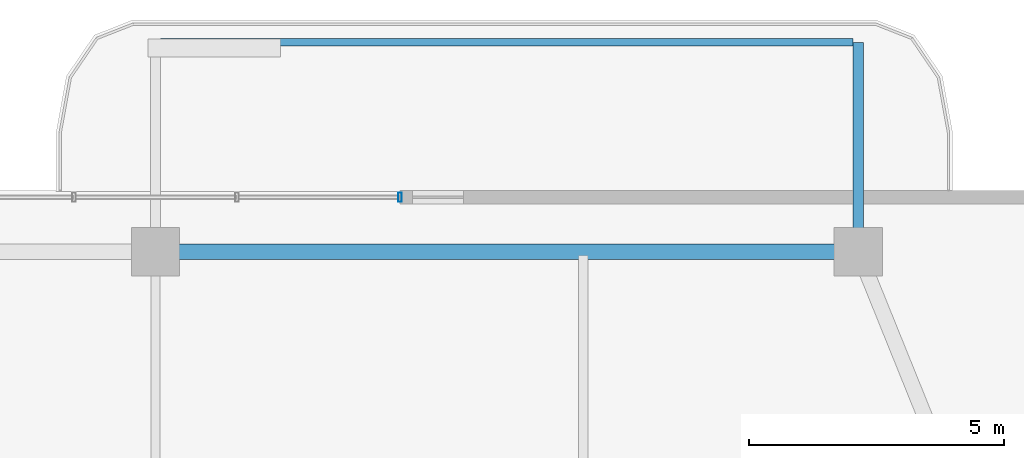
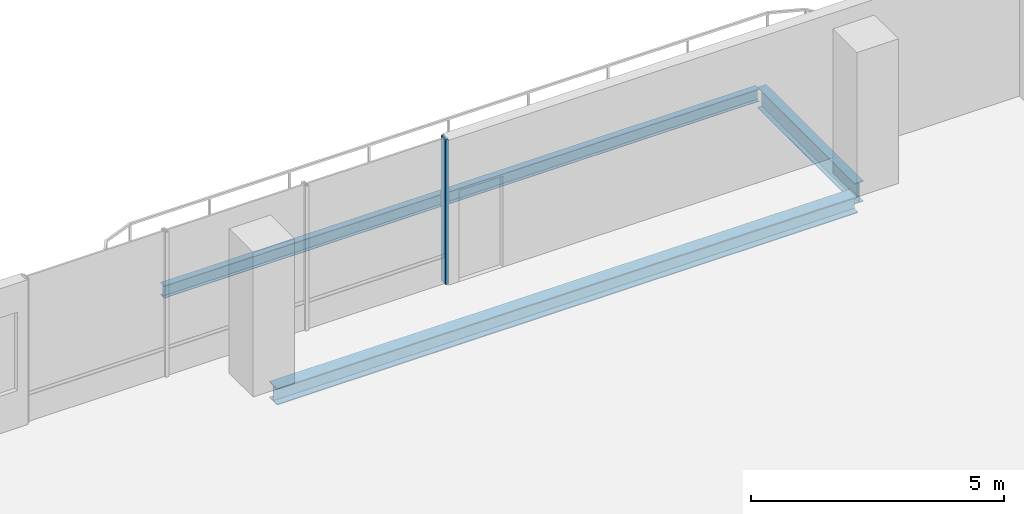
# One storey, part 16 of 23: 3 beams, 1 member, 1 element without a shape of its own.
"""IFC4 building model written with IfcOpenShell, lengths in metres."""

from ifc_helpers import new_model, si_unit, direction, frame, origin, origin_2d, place, context, subcontext, project, spatial, hollow_rectangle, i_section, extrude, material, layer, layer_set, material_profile, profile_set, type_object, element, aggregate, save


model = new_model("IFC4")

# Units and contexts
model_context = context("Model", 3, precision=1e-05, world=origin(), true_north=direction((0.0, 1.0)))
body_context = subcontext(model_context, "Body", "Model", "MODEL_VIEW")
ifc_project = project(units=[si_unit("LENGTHUNIT", "METRE"), si_unit("AREAUNIT", "SQUARE_METRE"), si_unit("VOLUMEUNIT", "CUBIC_METRE"), si_unit("PLANEANGLEUNIT", "RADIAN"), si_unit("MASSUNIT", "GRAM", prefix="KILO")], contexts=[model_context])

# Site, building, storey
site_placement = place(None, origin())
site = spatial("IfcSite", under=ifc_project, at=site_placement, CompositionType="ELEMENT")
building_placement = place(site_placement, origin())
building = spatial("IfcBuilding", under=site, at=building_placement, Name="Belovzor Exchange Tower", CompositionType="ELEMENT")
storey_placement = place(building_placement, frame((0.0, 0.0, 276.60009765625)))
storey = spatial("IfcBuildingStorey", under=building, at=storey_placement, Name="L69", CompositionType="ELEMENT", Elevation=276.60009765625)

# Beams
ifc_material_1 = material(Name="Steel S355", Category="steel")
ifc_material_profile_1 = material_profile(ifc_material_1, i_section(OverallWidth=0.199951171875, OverallDepth=0.5, WebThickness=0.01025390625, FlangeThickness=0.01611328125, at=origin_2d()))
ifc_profile_set_1 = profile_set([ifc_material_profile_1], Name="Steel S355")
beam_type_1 = type_object("IfcBeamType", Name="Planted Balcony Cantilever Beam IPE 500", PredefinedType="BEAM", material=ifc_profile_set_1)
beam_1_placement = place(storey_placement, frame((42.60009765625, 52.760986328125, -0.5), z_axis=(0.0, 1.0, 0.0), x_axis=(-1.0, 0.0, 0.0)))
element("IfcBeam", 1, at=beam_1_placement, inside=storey, type_object=beam_type_1, Name="BC-500 Planted Balcony Cantilever Beam IPE 500", PredefinedType="BEAM", context=body_context, shape_type="SweptSolid", body=[
    extrude(i_section(OverallWidth=0.199951171875, OverallDepth=0.5, WebThickness=0.01025390625, FlangeThickness=0.01611328125, at=origin_2d()), origin(), (0.0, 0.0, 1.0), 3.85009765625),
])
ifc_material_2 = material(Name="Steel S355", Category="steel")
ifc_material_profile_2 = material_profile(ifc_material_2, i_section(OverallWidth=0.14990234375, OverallDepth=0.300048828125, WebThickness=0.007080078125, FlangeThickness=0.0107421875, at=origin_2d()))
ifc_profile_set_2 = profile_set([ifc_material_profile_2], Name="Steel S355")
beam_type_2 = type_object("IfcBeamType", Name="Planted Balcony Fascia Edge Beam IPE 300", PredefinedType="BEAM", material=ifc_profile_set_2)
beam_2_placement = place(storey_placement, frame((42.5, 56.611083984375, -0.400146484375), z_axis=(-1.0, 0.0, 0.0), x_axis=(0.0, -1.0, 0.0)))
element("IfcBeam", 2, at=beam_2_placement, inside=storey, type_object=beam_type_2, Name="BC-300 Planted Balcony Fascia Edge Beam IPE 300", PredefinedType="BEAM", context=body_context, shape_type="SweptSolid", body=[
    extrude(i_section(OverallWidth=0.14990234375, OverallDepth=0.300048828125, WebThickness=0.007080078125, FlangeThickness=0.0107421875, at=origin_2d()), origin(), (0.0, 0.0, 1.0), 13.60009765625),
])

# Curtain wall, member
ifc_material_3 = material(Name="Anodised Aluminium Framing", Category="aluminium")
ifc_layer = layer(ifc_material_3, 0.179931640625)
ifc_layer_set = layer_set([ifc_layer], Name="Anodised Aluminium Framing")
curtain_wall_type = type_object("IfcCurtainWallType", Name="Recessed Loggia Low-Iron Triple-Glazed Curtain Wall", PredefinedType="NOTDEFINED", material=ifc_layer_set)
curtain_wall_placement = place(storey_placement, origin())
curtain_wall = element("IfcCurtainWall", 3, at=curtain_wall_placement, inside=storey, type_object=curtain_wall_type, Name="CW3 Recessed Loggia Low-Iron Triple-Glazed Curtain Wall L69", PredefinedType="NOTDEFINED")
ifc_material_4 = material(Name="Steel S355", Category="steel")
ifc_material_profile_3 = material_profile(ifc_material_4, hollow_rectangle(XDim=0.074951171875, YDim=0.179931640625, WallThickness=0.0048828125, at=origin_2d()))
ifc_profile_set_3 = profile_set([ifc_material_profile_3], Name="Steel S355")
member_type = type_object("IfcMemberType", Name="Thermally Broken Curtain Wall Mullion 180x75", PredefinedType="MULLION", material=ifc_profile_set_3)
member_placement = place(storey_placement, frame((33.60009765625, 53.570068359375, 0.0), z_axis=(0.0, 0.0, 1.0), x_axis=(1.0, 0.0, 0.0)))
member = element("IfcMember", 4, at=member_placement, type_object=member_type, Name="CW-M180 Curtain Wall Mullion 4", PredefinedType="MULLION", context=body_context, shape_type="SweptSolid", body=[
    extrude(hollow_rectangle(XDim=0.074951171875, YDim=0.179931640625, WallThickness=0.0048828125, at=origin_2d()), origin(), (0.0, 0.0, 1.0), 3.5),
])
aggregate(curtain_wall, [member])

# Beam
ifc_material_5 = material(Name="Steel S355", Category="steel")
ifc_material_profile_4 = material_profile(ifc_material_5, i_section(OverallWidth=0.300048828125, OverallDepth=0.39990234375, WebThickness=0.013427734375, FlangeThickness=0.02392578125, at=origin_2d()))
ifc_profile_set_4 = profile_set([ifc_material_profile_4], Name="Steel S355")
beam_type_3 = type_object("IfcBeamType", Name="Zone 5 Primary Girder HEB 400", PredefinedType="BEAM", material=ifc_profile_set_4)
beam_3_placement = place(storey_placement, frame((42.339111328125, 52.5, -0.4501953125), z_axis=(-1.0, 0.0, 0.0), x_axis=(0.0, -1.0, 0.0)))
element("IfcBeam", 5, at=beam_3_placement, inside=storey, type_object=beam_type_3, Name="FG-Z5 Zone 5 Primary Girder HEB 400", PredefinedType="BEAM", context=body_context, shape_type="SweptSolid", body=[
    extrude(i_section(OverallWidth=0.300048828125, OverallDepth=0.39990234375, WebThickness=0.013427734375, FlangeThickness=0.02392578125, at=origin_2d()), origin(), (0.0, 0.0, 1.0), 13.278076171875),
])

save(model, "model.ifc")
